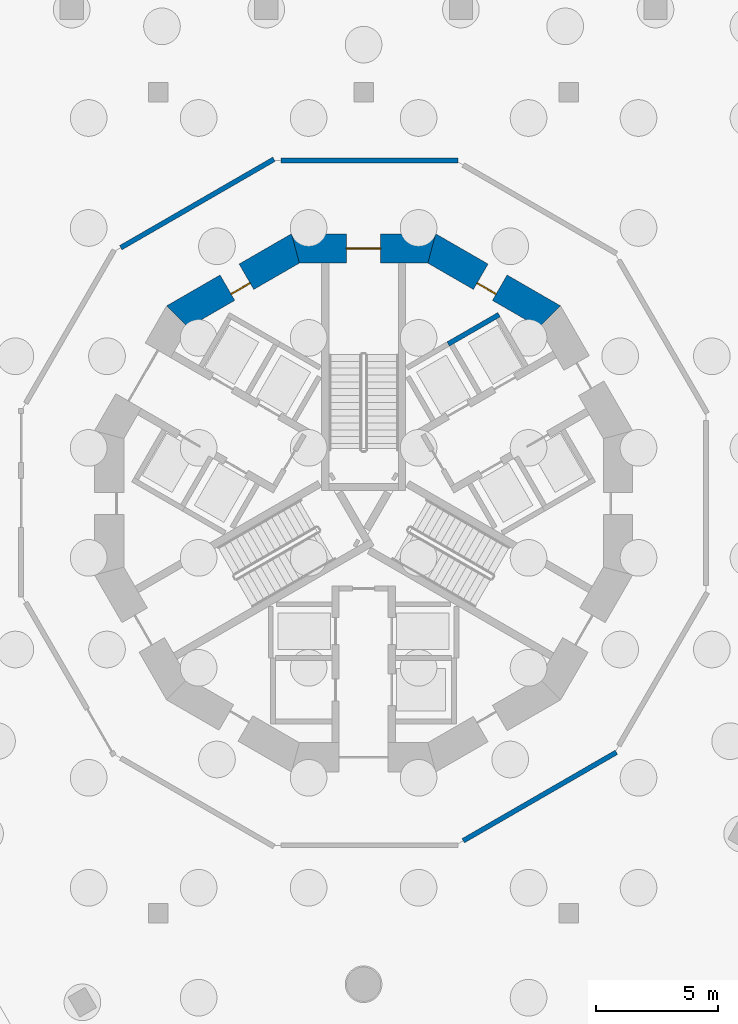
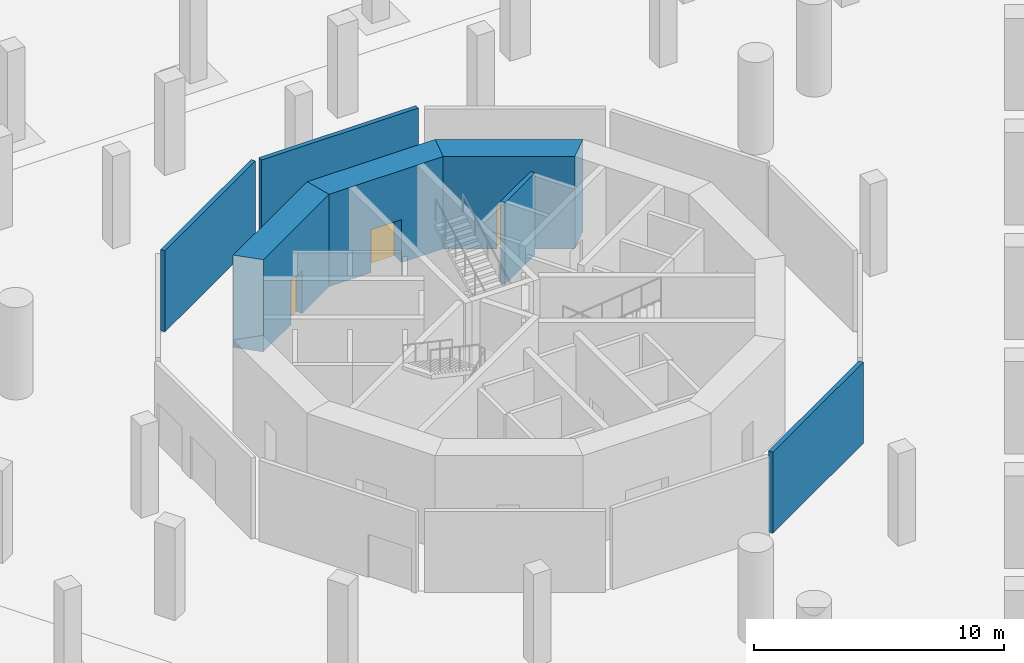
# One storey, part 9 of 23: 7 walls, 3 doors, 3 openings.
"""IFC4 building model written with IfcOpenShell, lengths in metres."""

from ifc_helpers import new_model, si_unit, direction, frame, frame_2d, origin, place, context, subcontext, project, spatial, polyline, rectangle, outline, extrude, material, layer, layer_set, type_object, element, fill, save


model = new_model("IFC4")

# Units and contexts
model_context = context("Model", 3, precision=1e-05, world=origin(), true_north=direction((0.0, 1.0)))
body_context = subcontext(model_context, "Body", "Model", "MODEL_VIEW")
ifc_project = project(units=[si_unit("LENGTHUNIT", "METRE"), si_unit("AREAUNIT", "SQUARE_METRE"), si_unit("VOLUMEUNIT", "CUBIC_METRE"), si_unit("PLANEANGLEUNIT", "RADIAN"), si_unit("MASSUNIT", "GRAM", prefix="KILO")], contexts=[model_context])

# Site, building, storey
site_placement = place(None, origin())
site = spatial("IfcSite", under=ifc_project, at=site_placement, CompositionType="ELEMENT")
building_placement = place(site_placement, origin())
building = spatial("IfcBuilding", under=site, at=building_placement, Name="Trine Commons Tower", CompositionType="ELEMENT")
storey_placement = place(building_placement, frame((0.0, 0.0, -9.0)))
storey = spatial("IfcBuildingStorey", under=building, at=storey_placement, Name="B2", CompositionType="ELEMENT", Elevation=-9.0)

# Walls
ifc_material_1 = material(Name="Plasterboard on steel stud", Category="steel")
ifc_layer_1 = layer(ifc_material_1, 0.199951171875)
ifc_layer_set_1 = layer_set([ifc_layer_1], Name="Plasterboard on steel stud")
wall_type_1 = type_object("IfcWallType", Name="Fire wall 200 mm, EI 120", PredefinedType="PARTITIONING", material=ifc_layer_set_1)
for number, where, z_axis, x_axis, name in (
    (1, (70.06591796875, 72.94384765625, 0.0), (0.0, 0.0, 1.0), (0.866037813005, 0.499978505984, 0.0), "Partition B2018"),
    (2, (76.618896484375, 76.511474609375, 0.0), (0.0, 0.0, 1.0), (1.0, 0.0, 0.0), "Partition B2020"),
):
    element("IfcWall", number, at=place(storey_placement, frame(where, z_axis=z_axis, x_axis=x_axis)), inside=storey, type_object=wall_type_1, Name=name, PredefinedType="PARTITIONING", context=body_context, shape_type="SweptSolid", body=[
        extrude(rectangle(XDim=7.235595703125, YDim=0.199951171875, at=frame_2d((3.61767578125, 0.0))), origin(), (0.0, 0.0, 1.0), 3.949951171875),
    ])
wall_1_placement = place(storey_placement, frame((84.07763671875, 48.675048828125, 0.0), z_axis=(0.0, 0.0, 1.0), x_axis=(0.866029378036, 0.499993116331, 0.0)))
element("IfcWall", 3, at=wall_1_placement, inside=storey, type_object=wall_type_1, Name="Partition B2021", PredefinedType="PARTITIONING", context=body_context, shape_type="SweptSolid", body=[
    extrude(rectangle(XDim=7.2353515625, YDim=0.199951171875, at=frame_2d((3.61767578125, 0.0))), origin(), (0.0, 0.0, 1.0), 3.949951171875),
])

# Wall, opening, door
ifc_material_2 = material(Name="Concrete C80/95", Category="concrete")
ifc_layer_2 = layer(ifc_material_2, 1.199951171875)
ifc_layer_set_2 = layer_set([ifc_layer_2], Name="Concrete C80/95")
wall_type_2 = type_object("IfcWallType", Name="RC shear wall 1200 mm, C80/95", PredefinedType="SHEAR", material=ifc_layer_set_2)
wall_2_placement = place(storey_placement, frame((87.760986328125, 70.04150390625, 0.0), z_axis=(0.0, 0.0, 1.0), x_axis=(-0.866037463336, 0.499979111662, 0.0)))
wall_2 = element("IfcWall", 4, at=wall_2_placement, inside=storey, type_object=wall_type_2, Name="Core wall CWA-03 B2", PredefinedType="SHEAR", context=body_context, shape_type="SweptSolid", body=[
    extrude(outline(polyline([(0.0, -0.60009765625), (5.901123046875, -0.60009765625), (5.57958984375, 0.60009765625), (0.321533203125, 0.60009765625), (0.0, -0.60009765625)])), origin(), (0.0, 0.0, 1.0), 4.5),
])
opening_1_placement = place(wall_2_placement, frame((2.526611328125, 0.0, 0.0)))
opening_1 = element("IfcOpeningElement", 5, at=opening_1_placement, cuts=wall_2, Name="Opening K01.11", PredefinedType="OPENING", context=body_context, shape_type="SweptSolid", body=[
    extrude(rectangle(XDim=0.89990234375, YDim=2.10009765625, at=frame_2d((0.449951171875, 1.050048828125))), frame((0.0, 0.60986328125, 0.0), z_axis=(0.0, -1.0, 0.0), x_axis=(1.0, 0.0, 0.0)), (0.0, 0.0, 1.0), 1.219970703125),
])
ifc_material_3 = material(Name="Steel door leaf, fire-rated", Category="steel")
door_type_1 = type_object("IfcDoorType", Name="Core room door, single leaf 900 x 2100, FD30S", OperationType="SINGLE_SWING_LEFT", PredefinedType="DOOR", material=ifc_material_3)
door_1_placement = place(opening_1_placement, origin())
door_1 = element("IfcDoor", 6, at=door_1_placement, inside=storey, type_object=door_type_1, Name="Door to Plant room B2", OperationType="SINGLE_SWING_RIGHT", OverallHeight=2.10009765625, OverallWidth=0.89990234375, PredefinedType="DOOR", context=body_context, shape_type="SweptSolid", body=[
    extrude(rectangle(XDim=0.89990234375, YDim=2.10009765625, at=frame_2d((0.449951171875, 1.050048828125))), frame((0.0, 0.3251953125, 0.0), z_axis=(0.0, -1.0, 0.0), x_axis=(1.0, 0.0, 0.0)), (0.0, 0.0, 1.0), 0.050048828125),
])
fill(opening_1, door_1)

wall_3_placement = place(storey_placement, frame((82.950439453125, 72.91162109375, 0.0), z_axis=(0.0, 0.0, 1.0), x_axis=(-1.0, 0.0, 0.0)))
wall_3 = element("IfcWall", 7, at=wall_3_placement, inside=storey, type_object=wall_type_2, Name="Core wall CWA-04 B2", PredefinedType="SHEAR", context=body_context, shape_type="SweptSolid", body=[
    extrude(outline(polyline([(0.0, -0.60009765625), (5.90087890625, -0.60009765625), (5.57958984375, 0.60009765625), (0.321533203125, 0.60009765625), (0.0, -0.60009765625)])), origin(), (0.0, 0.0, 1.0), 4.5),
])
opening_2_placement = place(wall_3_placement, frame((2.25048828125, 0.0, 0.0)))
opening_2 = element("IfcOpeningElement", 8, at=opening_2_placement, cuts=wall_3, Name="Opening K01.01", PredefinedType="OPENING", context=body_context, shape_type="SweptSolid", body=[
    extrude(rectangle(XDim=1.39990234375, YDim=2.10009765625, at=frame_2d((0.699951171875, 1.050048828125))), frame((0.0, 0.60986328125, 0.0), z_axis=(0.0, -1.0, 0.0), x_axis=(1.0, 0.0, 0.0)), (0.0, 0.0, 1.0), 1.219970703125),
])
ifc_material_4 = material(Name="Steel door leaves, fire-rated", Category="steel")
door_type_2 = type_object("IfcDoorType", Name="Stair door, double leaf 1400 x 2100, FD90", OperationType="DOUBLE_DOOR_SINGLE_SWING", PredefinedType="DOOR", material=ifc_material_4)
door_2_placement = place(opening_2_placement, origin())
door_2 = element("IfcDoor", 9, at=door_2_placement, inside=storey, type_object=door_type_2, Name="Stair door to Exit stair ST1A B2", OperationType="DOUBLE_DOOR_SINGLE_SWING", OverallHeight=2.10009765625, OverallWidth=1.39990234375, PredefinedType="DOOR", context=body_context, shape_type="SweptSolid", body=[
    extrude(rectangle(XDim=1.39990234375, YDim=2.10009765625, at=frame_2d((0.699951171875, 1.050048828125))), frame((0.0, 0.02490234375, 0.0), z_axis=(0.0, -1.0, 0.0), x_axis=(1.0, 0.0, 0.0)), (0.0, 0.0, 1.0), 0.050048828125),
])
fill(opening_2, door_2)

wall_4_placement = place(storey_placement, frame((77.349609375, 72.991943359375, 0.0), z_axis=(0.0, 0.0, 1.0), x_axis=(-0.866037463336, -0.499979111662, 0.0)))
wall_4 = element("IfcWall", 10, at=wall_4_placement, inside=storey, type_object=wall_type_2, Name="Core wall CWA-05 B2", PredefinedType="SHEAR", context=body_context, shape_type="SweptSolid", body=[
    extrude(outline(polyline([(0.0, -0.60009765625), (5.901123046875, -0.60009765625), (5.57958984375, 0.60009765625), (0.321533203125, 0.60009765625), (0.0, -0.60009765625)])), origin(), (0.0, 0.0, 1.0), 4.5),
])
opening_3_placement = place(wall_4_placement, frame((2.474853515625, 0.0, 0.0)))
opening_3 = element("IfcOpeningElement", 11, at=opening_3_placement, cuts=wall_4, Name="Opening K01.12", PredefinedType="OPENING", context=body_context, shape_type="SweptSolid", body=[
    extrude(rectangle(XDim=0.89990234375, YDim=2.10009765625, at=frame_2d((0.449951171875, 1.050048828125))), frame((0.0, 0.60986328125, 0.0), z_axis=(0.0, -1.0, 0.0), x_axis=(1.0, 0.0, 0.0)), (0.0, 0.0, 1.0), 1.219970703125),
])
door_3_placement = place(opening_3_placement, origin())
door_3 = element("IfcDoor", 12, at=door_3_placement, inside=storey, type_object=door_type_1, Name="Door to Store B2", OperationType="SINGLE_SWING_LEFT", OverallHeight=2.10009765625, OverallWidth=0.89990234375, PredefinedType="DOOR", context=body_context, shape_type="SweptSolid", body=[
    extrude(rectangle(XDim=0.89990234375, YDim=2.10009765625, at=frame_2d((0.449951171875, 1.050048828125))), frame((0.0, 0.3251953125, 0.0), z_axis=(0.0, -1.0, 0.0), x_axis=(1.0, 0.0, 0.0)), (0.0, 0.0, 1.0), 0.050048828125),
])
fill(opening_3, door_3)

# Wall
ifc_material_5 = material(Name="Fire-rated gypsum shaft wall system")
ifc_layer_3 = layer(ifc_material_5, 0.199951171875)
ifc_layer_set_3 = layer_set([ifc_layer_3], Name="Fire-rated gypsum shaft wall system")
wall_type_3 = type_object("IfcWallType", Name="Shaft wall 200 mm, EI 120", PredefinedType="PARTITIONING", material=ifc_layer_set_3)
wall_5_placement = place(storey_placement, frame((83.4619140625, 69.001953125, 0.0), z_axis=(0.0, 0.0, 1.0), x_axis=(0.866202511239, 0.499693115345, 0.0)))
element("IfcWall", 13, at=wall_5_placement, inside=storey, type_object=wall_type_3, Name="Shaft wall B2", PredefinedType="PARTITIONING", context=body_context, shape_type="SweptSolid", body=[
    extrude(rectangle(XDim=2.4013671875, YDim=0.199951171875, at=frame_2d((1.20068359375, 0.0))), origin(), (0.0, 0.0, 1.0), 4.0),
])

save(model, "model.ifc")
